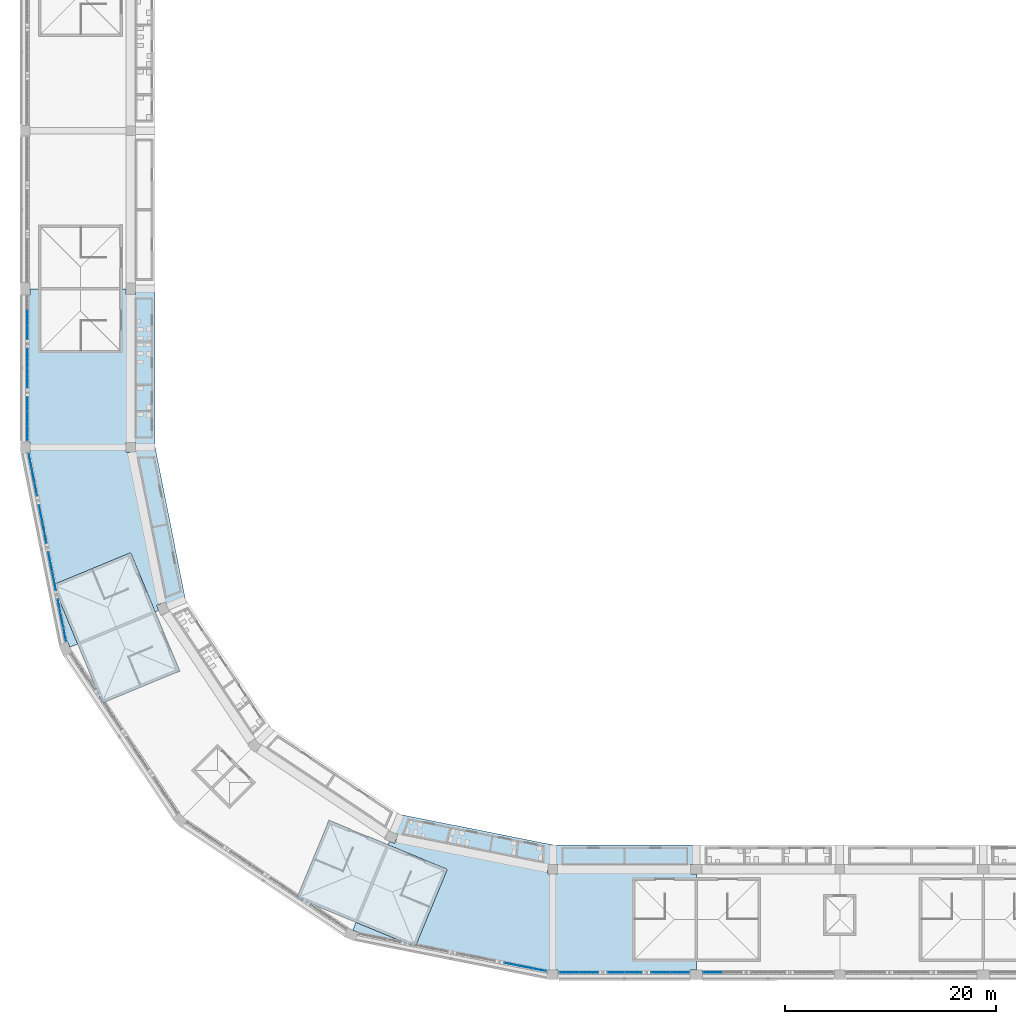
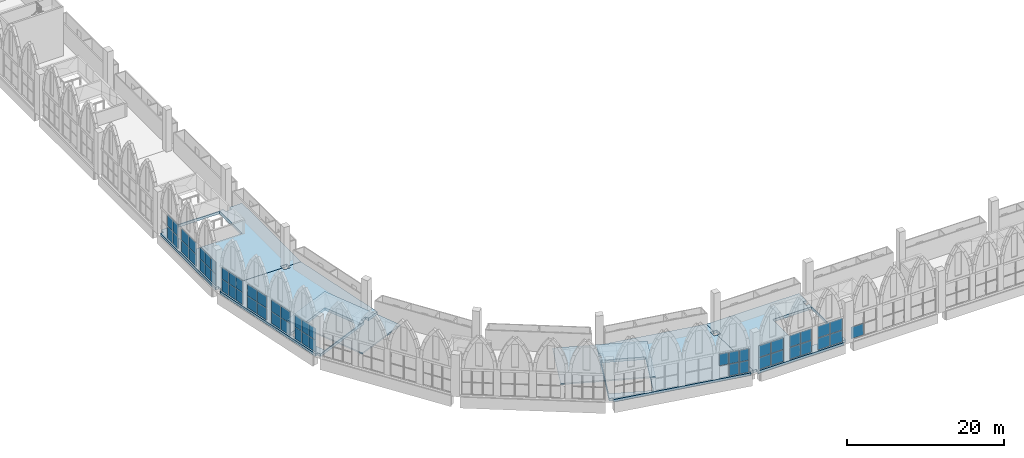
# One storey, part 49 of 130: 52 plates, 6 slabs, 12 elements without a shape of their own.
"""IFC4 building model written with IfcOpenShell, lengths in metres."""

from ifc_helpers import new_model, si_unit, direction, frame, origin, origin_2d, place, context, subcontext, project, spatial, polyline, rectangle, outline, extrude, material, layer, layer_set, type_object, element, aggregate, save


model = new_model("IFC4")

# Units and contexts
model_context = context("Model", 3, precision=1e-05, world=origin(), true_north=direction((0.0, 1.0)))
body_context = subcontext(model_context, "Body", "Model", "MODEL_VIEW")
ifc_project = project(units=[si_unit("LENGTHUNIT", "METRE"), si_unit("AREAUNIT", "SQUARE_METRE"), si_unit("VOLUMEUNIT", "CUBIC_METRE"), si_unit("PLANEANGLEUNIT", "RADIAN"), si_unit("MASSUNIT", "GRAM", prefix="KILO")], contexts=[model_context])

# Site, building, storey
site_placement = place(None, origin())
site = spatial("IfcSite", under=ifc_project, at=site_placement, CompositionType="ELEMENT")
building_placement = place(site_placement, origin())
building = spatial("IfcBuilding", under=site, at=building_placement, Name="Ogive Plaza Stadium", CompositionType="ELEMENT")
storey_placement = place(building_placement, frame((0.0, 0.0, 22.5)))
storey = spatial("IfcBuildingStorey", under=building, at=storey_placement, Name="L05", CompositionType="ELEMENT", Elevation=22.5)

# Slabs
ifc_material_1 = material(Name="Concrete C40/50", Category="concrete")
ifc_layer_1 = layer(ifc_material_1, 0.199951171875)
ifc_layer_set_1 = layer_set([ifc_layer_1], Name="Concrete C40/50")
slab_type_1 = type_object("IfcSlabType", Name="Core roof slab", PredefinedType="ROOF", material=ifc_layer_set_1)
slab_1_placement = place(storey_placement, frame((0.0, 0.0, 2.10009765625)))
element("IfcSlab", 1, at=slab_1_placement, inside=storey, type_object=slab_type_1, Name="Stair core R18 roof", PredefinedType="ROOF", context=body_context, shape_type="SweptSolid", body=[
    extrude(outline(polyline([(-55.22607421875, -87.869384765625), (-58.272216796875, -95.2236328125), (-47.047119140625, -99.873046875), (-44.0009765625, -92.51904296875), (-55.22607421875, -87.869384765625)])), origin(), (0.0, 0.0, 1.0), 0.199951171875),
])
slab_2_placement = place(storey_placement, frame((0.0, 0.0, 2.10009765625)))
element("IfcSlab", 2, at=slab_2_placement, inside=storey, type_object=slab_type_1, Name="Stair core R20 roof", PredefinedType="ROOF", context=body_context, shape_type="SweptSolid", body=[
    extrude(outline(polyline([(-74.01904296875, -62.5009765625), (-81.373046875, -65.547119140625), (-76.7236328125, -76.772216796875), (-69.369384765625, -73.72607421875), (-74.01904296875, -62.5009765625)])), origin(), (0.0, 0.0, 1.0), 0.199951171875),
])

# Curtain wall, plate
ifc_material_2 = material(Name="Bronze-anodised aluminium with laminated glass", Category="aluminium")
curtain_wall_type = type_object("IfcCurtainWallType", Name="Lancet curtain wall", PredefinedType="NOTDEFINED", material=ifc_material_2)
curtain_wall_1_placement = place(storey_placement, origin())
curtain_wall_1 = element("IfcCurtainWall", 3, at=curtain_wall_1_placement, inside=storey, type_object=curtain_wall_type, Name="CURTAIN WALL B15 L05", PredefinedType="NOTDEFINED")
ifc_material_3 = material(Name="Laminated glass", Category="glass")
ifc_layer_2 = layer(ifc_material_3, 0.028076171875)
ifc_layer_set_2 = layer_set([ifc_layer_2], Name="Laminated glass panel 28")
plate_type = type_object("IfcPlateType", Name="Laminated glass panel 28", PredefinedType="CURTAIN_PANEL", material=ifc_layer_set_2)
plate_1_placement = place(storey_placement, frame((-18.854248046875, -102.300048828125, 0.0498046875), z_axis=(0.0, 0.0, 1.0), x_axis=(-1.0, 0.0, 0.0)))
plate_1 = element("IfcPlate", 4, at=plate_1_placement, type_object=plate_type, Name="CW-B15-L05.3 panel 2.1", PredefinedType="CURTAIN_PANEL", context=body_context, shape_type="SweptSolid", body=[
    extrude(rectangle(XDim=1.791748046875, YDim=0.028076171875, at=origin_2d()), origin(), (0.0, 0.0, 1.0), 1.824951171875),
])
aggregate(curtain_wall_1, [plate_1])

# Curtain wall, plates
curtain_wall_2_placement = place(storey_placement, origin())
curtain_wall_2 = element("IfcCurtainWall", 5, at=curtain_wall_2_placement, inside=storey, type_object=curtain_wall_type, Name="CURTAIN WALL B16 L05", PredefinedType="NOTDEFINED")
plate_2_placement = place(storey_placement, frame((-21.94580078125, -102.300048828125, 0.0498046875), z_axis=(0.0, 0.0, 1.0), x_axis=(-1.0, 0.0, 0.0)))
plate_2 = element("IfcPlate", 6, at=plate_2_placement, type_object=plate_type, Name="CW-B16-L05.1 panel 1.1", PredefinedType="CURTAIN_PANEL", context=body_context, shape_type="SweptSolid", body=[
    extrude(rectangle(XDim=1.791748046875, YDim=0.028076171875, at=origin_2d()), origin(), (0.0, 0.0, 1.0), 1.824951171875),
])
plate_3_placement = place(storey_placement, frame((-21.94580078125, -102.300048828125, 1.9248046875), z_axis=(0.0, 0.0, 1.0), x_axis=(-1.0, 0.0, 0.0)))
plate_3 = element("IfcPlate", 7, at=plate_3_placement, type_object=plate_type, Name="CW-B16-L05.1 panel 1.2", PredefinedType="CURTAIN_PANEL", context=body_context, shape_type="SweptSolid", body=[
    extrude(rectangle(XDim=1.791748046875, YDim=0.028076171875, at=origin_2d()), origin(), (0.0, 0.0, 1.0), 1.824951171875),
])
plate_4_placement = place(storey_placement, frame((-23.78759765625, -102.300048828125, 0.0498046875), z_axis=(0.0, 0.0, 1.0), x_axis=(-1.0, 0.0, 0.0)))
plate_4 = element("IfcPlate", 8, at=plate_4_placement, type_object=plate_type, Name="CW-B16-L05.1 panel 2.1", PredefinedType="CURTAIN_PANEL", context=body_context, shape_type="SweptSolid", body=[
    extrude(rectangle(XDim=1.791748046875, YDim=0.028076171875, at=origin_2d()), origin(), (0.0, 0.0, 1.0), 1.824951171875),
])
plate_5_placement = place(storey_placement, frame((-23.78759765625, -102.300048828125, 1.9248046875), z_axis=(0.0, 0.0, 1.0), x_axis=(-1.0, 0.0, 0.0)))
plate_5 = element("IfcPlate", 9, at=plate_5_placement, type_object=plate_type, Name="CW-B16-L05.1 panel 2.2", PredefinedType="CURTAIN_PANEL", context=body_context, shape_type="SweptSolid", body=[
    extrude(rectangle(XDim=1.791748046875, YDim=0.028076171875, at=origin_2d()), origin(), (0.0, 0.0, 1.0), 1.824951171875),
])
aggregate(curtain_wall_2, [plate_2, plate_3, plate_4, plate_5])

curtain_wall_3_placement = place(storey_placement, origin())
curtain_wall_3 = element("IfcCurtainWall", 10, at=curtain_wall_3_placement, inside=storey, type_object=curtain_wall_type, Name="CURTAIN WALL B16 L05", PredefinedType="NOTDEFINED")
plate_6_placement = place(storey_placement, frame((-26.379150390625, -102.300048828125, 0.0498046875), z_axis=(0.0, 0.0, 1.0), x_axis=(-1.0, 0.0, 0.0)))
plate_6 = element("IfcPlate", 11, at=plate_6_placement, type_object=plate_type, Name="CW-B16-L05.2 panel 1.1", PredefinedType="CURTAIN_PANEL", context=body_context, shape_type="SweptSolid", body=[
    extrude(rectangle(XDim=1.591552734375, YDim=0.028076171875, at=origin_2d()), origin(), (0.0, 0.0, 1.0), 1.824951171875),
])
plate_7_placement = place(storey_placement, frame((-26.379150390625, -102.300048828125, 1.9248046875), z_axis=(0.0, 0.0, 1.0), x_axis=(-1.0, 0.0, 0.0)))
plate_7 = element("IfcPlate", 12, at=plate_7_placement, type_object=plate_type, Name="CW-B16-L05.2 panel 1.2", PredefinedType="CURTAIN_PANEL", context=body_context, shape_type="SweptSolid", body=[
    extrude(rectangle(XDim=1.591552734375, YDim=0.028076171875, at=origin_2d()), origin(), (0.0, 0.0, 1.0), 1.824951171875),
])
plate_8_placement = place(storey_placement, frame((-28.020751953125, -102.300048828125, 0.0498046875), z_axis=(0.0, 0.0, 1.0), x_axis=(-1.0, 0.0, 0.0)))
plate_8 = element("IfcPlate", 13, at=plate_8_placement, type_object=plate_type, Name="CW-B16-L05.2 panel 2.1", PredefinedType="CURTAIN_PANEL", context=body_context, shape_type="SweptSolid", body=[
    extrude(rectangle(XDim=1.591552734375, YDim=0.028076171875, at=origin_2d()), origin(), (0.0, 0.0, 1.0), 1.824951171875),
])
plate_9_placement = place(storey_placement, frame((-28.020751953125, -102.300048828125, 1.9248046875), z_axis=(0.0, 0.0, 1.0), x_axis=(-1.0, 0.0, 0.0)))
plate_9 = element("IfcPlate", 14, at=plate_9_placement, type_object=plate_type, Name="CW-B16-L05.2 panel 2.2", PredefinedType="CURTAIN_PANEL", context=body_context, shape_type="SweptSolid", body=[
    extrude(rectangle(XDim=1.591552734375, YDim=0.028076171875, at=origin_2d()), origin(), (0.0, 0.0, 1.0), 1.824951171875),
])
aggregate(curtain_wall_3, [plate_6, plate_7, plate_8, plate_9])

curtain_wall_4_placement = place(storey_placement, origin())
curtain_wall_4 = element("IfcCurtainWall", 15, at=curtain_wall_4_placement, inside=storey, type_object=curtain_wall_type, Name="CURTAIN WALL B16 L05", PredefinedType="NOTDEFINED")
plate_10_placement = place(storey_placement, frame((-30.612548828125, -102.300048828125, 0.0498046875), z_axis=(0.0, 0.0, 1.0), x_axis=(-1.0, 0.0, 0.0)))
plate_10 = element("IfcPlate", 16, at=plate_10_placement, type_object=plate_type, Name="CW-B16-L05.3 panel 1.1", PredefinedType="CURTAIN_PANEL", context=body_context, shape_type="SweptSolid", body=[
    extrude(rectangle(XDim=1.791748046875, YDim=0.028076171875, at=origin_2d()), origin(), (0.0, 0.0, 1.0), 1.824951171875),
])
plate_11_placement = place(storey_placement, frame((-30.612548828125, -102.300048828125, 1.9248046875), z_axis=(0.0, 0.0, 1.0), x_axis=(-1.0, 0.0, 0.0)))
plate_11 = element("IfcPlate", 17, at=plate_11_placement, type_object=plate_type, Name="CW-B16-L05.3 panel 1.2", PredefinedType="CURTAIN_PANEL", context=body_context, shape_type="SweptSolid", body=[
    extrude(rectangle(XDim=1.791748046875, YDim=0.028076171875, at=origin_2d()), origin(), (0.0, 0.0, 1.0), 1.824951171875),
])
plate_12_placement = place(storey_placement, frame((-32.4541015625, -102.300048828125, 0.0498046875), z_axis=(0.0, 0.0, 1.0), x_axis=(-1.0, 0.0, 0.0)))
plate_12 = element("IfcPlate", 18, at=plate_12_placement, type_object=plate_type, Name="CW-B16-L05.3 panel 2.1", PredefinedType="CURTAIN_PANEL", context=body_context, shape_type="SweptSolid", body=[
    extrude(rectangle(XDim=1.791748046875, YDim=0.028076171875, at=origin_2d()), origin(), (0.0, 0.0, 1.0), 1.824951171875),
])
plate_13_placement = place(storey_placement, frame((-32.4541015625, -102.300048828125, 1.9248046875), z_axis=(0.0, 0.0, 1.0), x_axis=(-1.0, 0.0, 0.0)))
plate_13 = element("IfcPlate", 19, at=plate_13_placement, type_object=plate_type, Name="CW-B16-L05.3 panel 2.2", PredefinedType="CURTAIN_PANEL", context=body_context, shape_type="SweptSolid", body=[
    extrude(rectangle(XDim=1.791748046875, YDim=0.028076171875, at=origin_2d()), origin(), (0.0, 0.0, 1.0), 1.824951171875),
])
aggregate(curtain_wall_4, [plate_10, plate_11, plate_12, plate_13])

curtain_wall_5_placement = place(storey_placement, origin())
curtain_wall_5 = element("IfcCurtainWall", 20, at=curtain_wall_5_placement, inside=storey, type_object=curtain_wall_type, Name="CURTAIN WALL B17 L05", PredefinedType="NOTDEFINED")
plate_14_placement = place(storey_placement, frame((-35.28076171875, -102.041259765625, 0.0498046875), z_axis=(0.0, 0.0, 1.0), x_axis=(-0.980785280413, 0.195090321965, 0.0)))
plate_14 = element("IfcPlate", 21, at=plate_14_placement, type_object=plate_type, Name="CW-B17-L05.1 panel 1.1", PredefinedType="CURTAIN_PANEL", context=body_context, shape_type="SweptSolid", body=[
    extrude(rectangle(XDim=1.310791015625, YDim=0.028076171875, at=origin_2d()), origin(), (0.0, 0.0, 1.0), 1.824951171875),
])
plate_15_placement = place(storey_placement, frame((-35.28076171875, -102.041259765625, 1.9248046875), z_axis=(0.0, 0.0, 1.0), x_axis=(-0.980785280413, 0.195090321965, 0.0)))
plate_15 = element("IfcPlate", 22, at=plate_15_placement, type_object=plate_type, Name="CW-B17-L05.1 panel 1.2", PredefinedType="CURTAIN_PANEL", context=body_context, shape_type="SweptSolid", body=[
    extrude(rectangle(XDim=1.310791015625, YDim=0.028076171875, at=origin_2d()), origin(), (0.0, 0.0, 1.0), 1.824951171875),
])
plate_16_placement = place(storey_placement, frame((-36.627685546875, -101.7734375, 0.0498046875), z_axis=(0.0, 0.0, 1.0), x_axis=(-0.980785280413, 0.195090321965, 0.0)))
plate_16 = element("IfcPlate", 23, at=plate_16_placement, type_object=plate_type, Name="CW-B17-L05.1 panel 2.1", PredefinedType="CURTAIN_PANEL", context=body_context, shape_type="SweptSolid", body=[
    extrude(rectangle(XDim=1.335693359375, YDim=0.028076171875, at=origin_2d()), origin(), (0.0, 0.0, 1.0), 1.824951171875),
])
plate_17_placement = place(storey_placement, frame((-36.627685546875, -101.7734375, 1.9248046875), z_axis=(0.0, 0.0, 1.0), x_axis=(-0.980785280413, 0.195090321965, 0.0)))
plate_17 = element("IfcPlate", 24, at=plate_17_placement, type_object=plate_type, Name="CW-B17-L05.1 panel 2.2", PredefinedType="CURTAIN_PANEL", context=body_context, shape_type="SweptSolid", body=[
    extrude(rectangle(XDim=1.335693359375, YDim=0.028076171875, at=origin_2d()), origin(), (0.0, 0.0, 1.0), 1.824951171875),
])
plate_18_placement = place(storey_placement, frame((-37.974365234375, -101.505615234375, 1.9248046875), z_axis=(0.0, 0.0, 1.0), x_axis=(-0.980785280413, 0.195090321965, 0.0)))
plate_18 = element("IfcPlate", 25, at=plate_18_placement, type_object=plate_type, Name="CW-B17-L05.1 panel 3.2", PredefinedType="CURTAIN_PANEL", context=body_context, shape_type="SweptSolid", body=[
    extrude(rectangle(XDim=1.310791015625, YDim=0.028076171875, at=origin_2d()), origin(), (0.0, 0.0, 1.0), 1.824951171875),
])
aggregate(curtain_wall_5, [plate_14, plate_15, plate_16, plate_17, plate_18])

curtain_wall_6_placement = place(storey_placement, origin())
curtain_wall_6 = element("IfcCurtainWall", 26, at=curtain_wall_6_placement, inside=storey, type_object=curtain_wall_type, Name="CURTAIN WALL B20 L05", PredefinedType="NOTDEFINED")
plate_19_placement = place(storey_placement, frame((-80.26025390625, -70.275390625, 0.0498046875), z_axis=(0.0, 0.0, 1.0), x_axis=(-0.195090321965, 0.980785280413, 0.0)))
plate_19 = element("IfcPlate", 27, at=plate_19_placement, type_object=plate_type, Name="CW-B20-L05.1 panel 1.1", PredefinedType="CURTAIN_PANEL", context=body_context, shape_type="SweptSolid", body=[
    extrude(rectangle(XDim=1.310791015625, YDim=0.028076171875, at=origin_2d()), origin(), (0.0, 0.0, 1.0), 1.824951171875),
])
plate_20_placement = place(storey_placement, frame((-80.26025390625, -70.275390625, 1.9248046875), z_axis=(0.0, 0.0, 1.0), x_axis=(-0.195090321965, 0.980785280413, 0.0)))
plate_20 = element("IfcPlate", 28, at=plate_20_placement, type_object=plate_type, Name="CW-B20-L05.1 panel 1.2", PredefinedType="CURTAIN_PANEL", context=body_context, shape_type="SweptSolid", body=[
    extrude(rectangle(XDim=1.310791015625, YDim=0.028076171875, at=origin_2d()), origin(), (0.0, 0.0, 1.0), 1.824951171875),
])
plate_21_placement = place(storey_placement, frame((-80.5283203125, -68.928466796875, 0.0498046875), z_axis=(0.0, 0.0, 1.0), x_axis=(-0.195090321965, 0.980785280413, 0.0)))
plate_21 = element("IfcPlate", 29, at=plate_21_placement, type_object=plate_type, Name="CW-B20-L05.1 panel 2.1", PredefinedType="CURTAIN_PANEL", context=body_context, shape_type="SweptSolid", body=[
    extrude(rectangle(XDim=1.335693359375, YDim=0.028076171875, at=origin_2d()), origin(), (0.0, 0.0, 1.0), 1.824951171875),
])
plate_22_placement = place(storey_placement, frame((-80.5283203125, -68.928466796875, 1.9248046875), z_axis=(0.0, 0.0, 1.0), x_axis=(-0.195090321965, 0.980785280413, 0.0)))
plate_22 = element("IfcPlate", 30, at=plate_22_placement, type_object=plate_type, Name="CW-B20-L05.1 panel 2.2", PredefinedType="CURTAIN_PANEL", context=body_context, shape_type="SweptSolid", body=[
    extrude(rectangle(XDim=1.335693359375, YDim=0.028076171875, at=origin_2d()), origin(), (0.0, 0.0, 1.0), 1.824951171875),
])
plate_23_placement = place(storey_placement, frame((-80.796142578125, -67.581787109375, 0.0498046875), z_axis=(0.0, 0.0, 1.0), x_axis=(-0.195090321965, 0.980785280413, 0.0)))
plate_23 = element("IfcPlate", 31, at=plate_23_placement, type_object=plate_type, Name="CW-B20-L05.1 panel 3.1", PredefinedType="CURTAIN_PANEL", context=body_context, shape_type="SweptSolid", body=[
    extrude(rectangle(XDim=1.310791015625, YDim=0.028076171875, at=origin_2d()), origin(), (0.0, 0.0, 1.0), 1.824951171875),
])
plate_24_placement = place(storey_placement, frame((-80.796142578125, -67.581787109375, 1.9248046875), z_axis=(0.0, 0.0, 1.0), x_axis=(-0.195090321965, 0.980785280413, 0.0)))
plate_24 = element("IfcPlate", 32, at=plate_24_placement, type_object=plate_type, Name="CW-B20-L05.1 panel 3.2", PredefinedType="CURTAIN_PANEL", context=body_context, shape_type="SweptSolid", body=[
    extrude(rectangle(XDim=1.310791015625, YDim=0.028076171875, at=origin_2d()), origin(), (0.0, 0.0, 1.0), 1.824951171875),
])
aggregate(curtain_wall_6, [plate_19, plate_20, plate_21, plate_22, plate_23, plate_24])

curtain_wall_7_placement = place(storey_placement, origin())
curtain_wall_7 = element("IfcCurtainWall", 33, at=curtain_wall_7_placement, inside=storey, type_object=curtain_wall_type, Name="CURTAIN WALL B20 L05", PredefinedType="NOTDEFINED")
plate_25_placement = place(storey_placement, frame((-81.275390625, -65.171875, 0.0498046875), z_axis=(0.0, 0.0, 1.0), x_axis=(-0.195090322153, 0.980785280376, 0.0)))
plate_25 = element("IfcPlate", 34, at=plate_25_placement, type_object=plate_type, Name="CW-B20-L05.2 panel 1.1", PredefinedType="CURTAIN_PANEL", context=body_context, shape_type="SweptSolid", body=[
    extrude(rectangle(XDim=1.803466796875, YDim=0.028076171875, at=origin_2d()), origin(), (0.0, 0.0, 1.0), 1.824951171875),
])
plate_26_placement = place(storey_placement, frame((-81.275390625, -65.171875, 1.9248046875), z_axis=(0.0, 0.0, 1.0), x_axis=(-0.195090322153, 0.980785280376, 0.0)))
plate_26 = element("IfcPlate", 35, at=plate_26_placement, type_object=plate_type, Name="CW-B20-L05.2 panel 1.2", PredefinedType="CURTAIN_PANEL", context=body_context, shape_type="SweptSolid", body=[
    extrude(rectangle(XDim=1.803466796875, YDim=0.028076171875, at=origin_2d()), origin(), (0.0, 0.0, 1.0), 1.824951171875),
])
plate_27_placement = place(storey_placement, frame((-81.63720703125, -63.353759765625, 0.0498046875), z_axis=(0.0, 0.0, 1.0), x_axis=(-0.195090322153, 0.980785280376, 0.0)))
plate_27 = element("IfcPlate", 36, at=plate_27_placement, type_object=plate_type, Name="CW-B20-L05.2 panel 2.1", PredefinedType="CURTAIN_PANEL", context=body_context, shape_type="SweptSolid", body=[
    extrude(rectangle(XDim=1.803466796875, YDim=0.028076171875, at=origin_2d()), origin(), (0.0, 0.0, 1.0), 1.824951171875),
])
plate_28_placement = place(storey_placement, frame((-81.63720703125, -63.353759765625, 1.9248046875), z_axis=(0.0, 0.0, 1.0), x_axis=(-0.195090322153, 0.980785280376, 0.0)))
plate_28 = element("IfcPlate", 37, at=plate_28_placement, type_object=plate_type, Name="CW-B20-L05.2 panel 2.2", PredefinedType="CURTAIN_PANEL", context=body_context, shape_type="SweptSolid", body=[
    extrude(rectangle(XDim=1.803466796875, YDim=0.028076171875, at=origin_2d()), origin(), (0.0, 0.0, 1.0), 1.824951171875),
])
aggregate(curtain_wall_7, [plate_25, plate_26, plate_27, plate_28])

curtain_wall_8_placement = place(storey_placement, origin())
curtain_wall_8 = element("IfcCurtainWall", 38, at=curtain_wall_8_placement, inside=storey, type_object=curtain_wall_type, Name="CURTAIN WALL B20 L05", PredefinedType="NOTDEFINED")
plate_29_placement = place(storey_placement, frame((-82.16455078125, -60.7021484375, 0.0498046875), z_axis=(0.0, 0.0, 1.0), x_axis=(-0.195090321896, 0.980785280427, 0.0)))
plate_29 = element("IfcPlate", 39, at=plate_29_placement, type_object=plate_type, Name="CW-B20-L05.3 panel 1.1", PredefinedType="CURTAIN_PANEL", context=body_context, shape_type="SweptSolid", body=[
    extrude(rectangle(XDim=1.803466796875, YDim=0.028076171875, at=origin_2d()), origin(), (0.0, 0.0, 1.0), 1.824951171875),
])
plate_30_placement = place(storey_placement, frame((-82.16455078125, -60.7021484375, 1.9248046875), z_axis=(0.0, 0.0, 1.0), x_axis=(-0.195090321896, 0.980785280427, 0.0)))
plate_30 = element("IfcPlate", 40, at=plate_30_placement, type_object=plate_type, Name="CW-B20-L05.3 panel 1.2", PredefinedType="CURTAIN_PANEL", context=body_context, shape_type="SweptSolid", body=[
    extrude(rectangle(XDim=1.803466796875, YDim=0.028076171875, at=origin_2d()), origin(), (0.0, 0.0, 1.0), 1.824951171875),
])
plate_31_placement = place(storey_placement, frame((-82.526123046875, -58.88427734375, 0.0498046875), z_axis=(0.0, 0.0, 1.0), x_axis=(-0.195090321896, 0.980785280427, 0.0)))
plate_31 = element("IfcPlate", 41, at=plate_31_placement, type_object=plate_type, Name="CW-B20-L05.3 panel 2.1", PredefinedType="CURTAIN_PANEL", context=body_context, shape_type="SweptSolid", body=[
    extrude(rectangle(XDim=1.803466796875, YDim=0.028076171875, at=origin_2d()), origin(), (0.0, 0.0, 1.0), 1.824951171875),
])
plate_32_placement = place(storey_placement, frame((-82.526123046875, -58.88427734375, 1.9248046875), z_axis=(0.0, 0.0, 1.0), x_axis=(-0.195090321896, 0.980785280427, 0.0)))
plate_32 = element("IfcPlate", 42, at=plate_32_placement, type_object=plate_type, Name="CW-B20-L05.3 panel 2.2", PredefinedType="CURTAIN_PANEL", context=body_context, shape_type="SweptSolid", body=[
    extrude(rectangle(XDim=1.803466796875, YDim=0.028076171875, at=origin_2d()), origin(), (0.0, 0.0, 1.0), 1.824951171875),
])
aggregate(curtain_wall_8, [plate_29, plate_30, plate_31, plate_32])

curtain_wall_9_placement = place(storey_placement, origin())
curtain_wall_9 = element("IfcCurtainWall", 43, at=curtain_wall_9_placement, inside=storey, type_object=curtain_wall_type, Name="CURTAIN WALL B20 L05", PredefinedType="NOTDEFINED")
plate_33_placement = place(storey_placement, frame((-83.005615234375, -56.474365234375, 0.0498046875), z_axis=(0.0, 0.0, 1.0), x_axis=(-0.195090321965, 0.980785280413, 0.0)))
plate_33 = element("IfcPlate", 44, at=plate_33_placement, type_object=plate_type, Name="CW-B20-L05.4 panel 1.1", PredefinedType="CURTAIN_PANEL", context=body_context, shape_type="SweptSolid", body=[
    extrude(rectangle(XDim=1.310791015625, YDim=0.028076171875, at=origin_2d()), origin(), (0.0, 0.0, 1.0), 1.824951171875),
])
plate_34_placement = place(storey_placement, frame((-83.005615234375, -56.474365234375, 1.9248046875), z_axis=(0.0, 0.0, 1.0), x_axis=(-0.195090321965, 0.980785280413, 0.0)))
plate_34 = element("IfcPlate", 45, at=plate_34_placement, type_object=plate_type, Name="CW-B20-L05.4 panel 1.2", PredefinedType="CURTAIN_PANEL", context=body_context, shape_type="SweptSolid", body=[
    extrude(rectangle(XDim=1.310791015625, YDim=0.028076171875, at=origin_2d()), origin(), (0.0, 0.0, 1.0), 1.824951171875),
])
plate_35_placement = place(storey_placement, frame((-83.2734375, -55.127685546875, 0.0498046875), z_axis=(0.0, 0.0, 1.0), x_axis=(-0.195090321965, 0.980785280413, 0.0)))
plate_35 = element("IfcPlate", 46, at=plate_35_placement, type_object=plate_type, Name="CW-B20-L05.4 panel 2.1", PredefinedType="CURTAIN_PANEL", context=body_context, shape_type="SweptSolid", body=[
    extrude(rectangle(XDim=1.335693359375, YDim=0.028076171875, at=origin_2d()), origin(), (0.0, 0.0, 1.0), 1.824951171875),
])
plate_36_placement = place(storey_placement, frame((-83.2734375, -55.127685546875, 1.9248046875), z_axis=(0.0, 0.0, 1.0), x_axis=(-0.195090321965, 0.980785280413, 0.0)))
plate_36 = element("IfcPlate", 47, at=plate_36_placement, type_object=plate_type, Name="CW-B20-L05.4 panel 2.2", PredefinedType="CURTAIN_PANEL", context=body_context, shape_type="SweptSolid", body=[
    extrude(rectangle(XDim=1.335693359375, YDim=0.028076171875, at=origin_2d()), origin(), (0.0, 0.0, 1.0), 1.824951171875),
])
plate_37_placement = place(storey_placement, frame((-83.541259765625, -53.78076171875, 0.0498046875), z_axis=(0.0, 0.0, 1.0), x_axis=(-0.195090321965, 0.980785280413, 0.0)))
plate_37 = element("IfcPlate", 48, at=plate_37_placement, type_object=plate_type, Name="CW-B20-L05.4 panel 3.1", PredefinedType="CURTAIN_PANEL", context=body_context, shape_type="SweptSolid", body=[
    extrude(rectangle(XDim=1.310791015625, YDim=0.028076171875, at=origin_2d()), origin(), (0.0, 0.0, 1.0), 1.824951171875),
])
plate_38_placement = place(storey_placement, frame((-83.541259765625, -53.78076171875, 1.9248046875), z_axis=(0.0, 0.0, 1.0), x_axis=(-0.195090321965, 0.980785280413, 0.0)))
plate_38 = element("IfcPlate", 49, at=plate_38_placement, type_object=plate_type, Name="CW-B20-L05.4 panel 3.2", PredefinedType="CURTAIN_PANEL", context=body_context, shape_type="SweptSolid", body=[
    extrude(rectangle(XDim=1.310791015625, YDim=0.028076171875, at=origin_2d()), origin(), (0.0, 0.0, 1.0), 1.824951171875),
])
aggregate(curtain_wall_9, [plate_33, plate_34, plate_35, plate_36, plate_37, plate_38])

curtain_wall_10_placement = place(storey_placement, origin())
curtain_wall_10 = element("IfcCurtainWall", 50, at=curtain_wall_10_placement, inside=storey, type_object=curtain_wall_type, Name="CURTAIN WALL B21 L05", PredefinedType="NOTDEFINED")
plate_39_placement = place(storey_placement, frame((-83.800048828125, -51.1875, 0.0498046875), z_axis=(0.0, 0.0, 1.0), x_axis=(0.0, 1.0, 0.0)))
plate_39 = element("IfcPlate", 51, at=plate_39_placement, type_object=plate_type, Name="CW-B21-L05.1 panel 1.1", PredefinedType="CURTAIN_PANEL", context=body_context, shape_type="SweptSolid", body=[
    extrude(rectangle(XDim=1.324951171875, YDim=0.028076171875, at=origin_2d()), origin(), (0.0, 0.0, 1.0), 1.824951171875),
])
plate_40_placement = place(storey_placement, frame((-83.800048828125, -51.1875, 1.9248046875), z_axis=(0.0, 0.0, 1.0), x_axis=(0.0, 1.0, 0.0)))
plate_40 = element("IfcPlate", 52, at=plate_40_placement, type_object=plate_type, Name="CW-B21-L05.1 panel 1.2", PredefinedType="CURTAIN_PANEL", context=body_context, shape_type="SweptSolid", body=[
    extrude(rectangle(XDim=1.324951171875, YDim=0.028076171875, at=origin_2d()), origin(), (0.0, 0.0, 1.0), 1.824951171875),
])
plate_41_placement = place(storey_placement, frame((-83.800048828125, -49.800048828125, 0.0498046875), z_axis=(0.0, 0.0, 1.0), x_axis=(0.0, 1.0, 0.0)))
plate_41 = element("IfcPlate", 53, at=plate_41_placement, type_object=plate_type, Name="CW-B21-L05.1 panel 2.1", PredefinedType="CURTAIN_PANEL", context=body_context, shape_type="SweptSolid", body=[
    extrude(rectangle(XDim=1.35009765625, YDim=0.028076171875, at=origin_2d()), origin(), (0.0, 0.0, 1.0), 1.824951171875),
])
plate_42_placement = place(storey_placement, frame((-83.800048828125, -49.800048828125, 1.9248046875), z_axis=(0.0, 0.0, 1.0), x_axis=(0.0, 1.0, 0.0)))
plate_42 = element("IfcPlate", 54, at=plate_42_placement, type_object=plate_type, Name="CW-B21-L05.1 panel 2.2", PredefinedType="CURTAIN_PANEL", context=body_context, shape_type="SweptSolid", body=[
    extrude(rectangle(XDim=1.35009765625, YDim=0.028076171875, at=origin_2d()), origin(), (0.0, 0.0, 1.0), 1.824951171875),
])
plate_43_placement = place(storey_placement, frame((-83.800048828125, -48.41259765625, 0.0498046875), z_axis=(0.0, 0.0, 1.0), x_axis=(0.0, 1.0, 0.0)))
plate_43 = element("IfcPlate", 55, at=plate_43_placement, type_object=plate_type, Name="CW-B21-L05.1 panel 3.1", PredefinedType="CURTAIN_PANEL", context=body_context, shape_type="SweptSolid", body=[
    extrude(rectangle(XDim=1.324951171875, YDim=0.028076171875, at=origin_2d()), origin(), (0.0, 0.0, 1.0), 1.824951171875),
])
plate_44_placement = place(storey_placement, frame((-83.800048828125, -48.41259765625, 1.9248046875), z_axis=(0.0, 0.0, 1.0), x_axis=(0.0, 1.0, 0.0)))
plate_44 = element("IfcPlate", 56, at=plate_44_placement, type_object=plate_type, Name="CW-B21-L05.1 panel 3.2", PredefinedType="CURTAIN_PANEL", context=body_context, shape_type="SweptSolid", body=[
    extrude(rectangle(XDim=1.324951171875, YDim=0.028076171875, at=origin_2d()), origin(), (0.0, 0.0, 1.0), 1.824951171875),
])
aggregate(curtain_wall_10, [plate_39, plate_40, plate_41, plate_42, plate_43, plate_44])

curtain_wall_11_placement = place(storey_placement, origin())
curtain_wall_11 = element("IfcCurtainWall", 57, at=curtain_wall_11_placement, inside=storey, type_object=curtain_wall_type, Name="CURTAIN WALL B21 L05", PredefinedType="NOTDEFINED")
plate_45_placement = place(storey_placement, frame((-83.800048828125, -45.9375, 0.0498046875), z_axis=(0.0, 0.0, 1.0), x_axis=(0.0, 1.0, 0.0)))
plate_45 = element("IfcPlate", 58, at=plate_45_placement, type_object=plate_type, Name="CW-B21-L05.2 panel 1.1", PredefinedType="CURTAIN_PANEL", context=body_context, shape_type="SweptSolid", body=[
    extrude(rectangle(XDim=1.824951171875, YDim=0.028076171875, at=origin_2d()), origin(), (0.0, 0.0, 1.0), 1.824951171875),
])
plate_46_placement = place(storey_placement, frame((-83.800048828125, -45.9375, 1.9248046875), z_axis=(0.0, 0.0, 1.0), x_axis=(0.0, 1.0, 0.0)))
plate_46 = element("IfcPlate", 59, at=plate_46_placement, type_object=plate_type, Name="CW-B21-L05.2 panel 1.2", PredefinedType="CURTAIN_PANEL", context=body_context, shape_type="SweptSolid", body=[
    extrude(rectangle(XDim=1.824951171875, YDim=0.028076171875, at=origin_2d()), origin(), (0.0, 0.0, 1.0), 1.824951171875),
])
plate_47_placement = place(storey_placement, frame((-83.800048828125, -44.0625, 0.0498046875), z_axis=(0.0, 0.0, 1.0), x_axis=(0.0, 1.0, 0.0)))
plate_47 = element("IfcPlate", 60, at=plate_47_placement, type_object=plate_type, Name="CW-B21-L05.2 panel 2.1", PredefinedType="CURTAIN_PANEL", context=body_context, shape_type="SweptSolid", body=[
    extrude(rectangle(XDim=1.824951171875, YDim=0.028076171875, at=origin_2d()), origin(), (0.0, 0.0, 1.0), 1.824951171875),
])
plate_48_placement = place(storey_placement, frame((-83.800048828125, -44.0625, 1.9248046875), z_axis=(0.0, 0.0, 1.0), x_axis=(0.0, 1.0, 0.0)))
plate_48 = element("IfcPlate", 61, at=plate_48_placement, type_object=plate_type, Name="CW-B21-L05.2 panel 2.2", PredefinedType="CURTAIN_PANEL", context=body_context, shape_type="SweptSolid", body=[
    extrude(rectangle(XDim=1.824951171875, YDim=0.028076171875, at=origin_2d()), origin(), (0.0, 0.0, 1.0), 1.824951171875),
])
aggregate(curtain_wall_11, [plate_45, plate_46, plate_47, plate_48])

curtain_wall_12_placement = place(storey_placement, origin())
curtain_wall_12 = element("IfcCurtainWall", 62, at=curtain_wall_12_placement, inside=storey, type_object=curtain_wall_type, Name="CURTAIN WALL B21 L05", PredefinedType="NOTDEFINED")
plate_49_placement = place(storey_placement, frame((-83.800048828125, -41.58740234375, 0.0498046875), z_axis=(0.0, 0.0, 1.0), x_axis=(0.0, 1.0, 0.0)))
plate_49 = element("IfcPlate", 63, at=plate_49_placement, type_object=plate_type, Name="CW-B21-L05.3 panel 1.1", PredefinedType="CURTAIN_PANEL", context=body_context, shape_type="SweptSolid", body=[
    extrude(rectangle(XDim=1.324951171875, YDim=0.028076171875, at=origin_2d()), origin(), (0.0, 0.0, 1.0), 1.824951171875),
])
plate_50_placement = place(storey_placement, frame((-83.800048828125, -41.58740234375, 1.9248046875), z_axis=(0.0, 0.0, 1.0), x_axis=(0.0, 1.0, 0.0)))
plate_50 = element("IfcPlate", 64, at=plate_50_placement, type_object=plate_type, Name="CW-B21-L05.3 panel 1.2", PredefinedType="CURTAIN_PANEL", context=body_context, shape_type="SweptSolid", body=[
    extrude(rectangle(XDim=1.324951171875, YDim=0.028076171875, at=origin_2d()), origin(), (0.0, 0.0, 1.0), 1.824951171875),
])
plate_51_placement = place(storey_placement, frame((-83.800048828125, -40.199951171875, 0.0498046875), z_axis=(0.0, 0.0, 1.0), x_axis=(0.0, 1.0, 0.0)))
plate_51 = element("IfcPlate", 65, at=plate_51_placement, type_object=plate_type, Name="CW-B21-L05.3 panel 2.1", PredefinedType="CURTAIN_PANEL", context=body_context, shape_type="SweptSolid", body=[
    extrude(rectangle(XDim=1.35009765625, YDim=0.028076171875, at=origin_2d()), origin(), (0.0, 0.0, 1.0), 1.824951171875),
])
plate_52_placement = place(storey_placement, frame((-83.800048828125, -40.199951171875, 1.9248046875), z_axis=(0.0, 0.0, 1.0), x_axis=(0.0, 1.0, 0.0)))
plate_52 = element("IfcPlate", 66, at=plate_52_placement, type_object=plate_type, Name="CW-B21-L05.3 panel 2.2", PredefinedType="CURTAIN_PANEL", context=body_context, shape_type="SweptSolid", body=[
    extrude(rectangle(XDim=1.35009765625, YDim=0.028076171875, at=origin_2d()), origin(), (0.0, 0.0, 1.0), 1.824951171875),
])
aggregate(curtain_wall_12, [plate_49, plate_50, plate_51, plate_52])

# Slabs
ifc_material_4 = material(Name="Concrete C40/50", Category="concrete")
ifc_layer_3 = layer(ifc_material_4, 0.409912109375)
ifc_layer_set_3 = layer_set([ifc_layer_3], Name="Concrete C40/50")
slab_type_2 = type_object("IfcSlabType", Name="RC floor slab 410", PredefinedType="FLOOR", material=ifc_layer_set_3)
slab_3_placement = place(storey_placement, frame((0.0, 0.0, -0.409912109375)))
element("IfcSlab", 67, at=slab_3_placement, inside=storey, type_object=slab_type_2, Name="Floor slab L05 B16", PredefinedType="FLOOR", context=body_context, shape_type="SweptSolid", body=[
    extrude(outline(polyline([(-34.0, -92.050048828125), (-33.550048828125, -92.050048828125), (-33.550048828125, -92.949951171875), (-34.0, -92.949951171875), (-34.0, -102.050048828125), (-33.5, -102.050048828125), (-33.5, -102.5), (-21.0, -102.5), (-21.0, -102.050048828125), (-20.39990234375, -102.050048828125), (-20.39990234375, -92.949951171875), (-20.949951171875, -92.949951171875), (-20.949951171875, -92.050048828125), (-20.39990234375, -92.050048828125), (-20.39990234375, -90.199951171875), (-34.0, -90.199951171875), (-34.0, -92.050048828125)]), holes=[polyline([(-20.52490234375, -93.550048828125), (-26.22509765625, -93.550048828125), (-26.22509765625, -101.010009765625), (-20.52490234375, -101.010009765625), (-20.52490234375, -93.550048828125)])]), origin(), (0.0, 0.0, 1.0), 0.409912109375),
])
slab_4_placement = place(storey_placement, frame((0.0, 0.0, -0.409912109375)))
element("IfcSlab", 68, at=slab_4_placement, inside=storey, type_object=slab_type_2, Name="Floor slab L05 B17", PredefinedType="FLOOR", context=body_context, shape_type="SweptSolid", body=[
    extrude(outline(polyline([(-49.135009765625, -89.03955078125), (-48.673095703125, -89.230712890625), (-49.017578125, -90.062255859375), (-49.4794921875, -89.870849609375), (-52.9619140625, -98.2783203125), (-52.453857421875, -98.48876953125), (-52.584228515625, -98.803466796875), (-34.5, -102.400634765625), (-34.5, -102.050048828125), (-34.0, -102.050048828125), (-34.0, -92.949951171875), (-34.449951171875, -92.949951171875), (-34.449951171875, -92.050048828125), (-34.0, -92.050048828125), (-34.0, -90.199951171875), (-48.42724609375, -87.330322265625), (-49.135009765625, -89.03955078125)]), holes=[polyline([(-44.32763671875, -92.654296875), (-49.59375, -90.47314453125), (-52.448486328125, -97.365234375), (-47.182373046875, -99.546630859375), (-44.32763671875, -92.654296875)])]), origin(), (0.0, 0.0, 1.0), 0.409912109375),
])
slab_5_placement = place(storey_placement, frame((0.0, 0.0, -0.409912109375)))
element("IfcSlab", 69, at=slab_5_placement, inside=storey, type_object=slab_type_2, Name="Floor slab L05 B20", PredefinedType="FLOOR", context=body_context, shape_type="SweptSolid", body=[
    extrude(outline(polyline([(-73.550048828125, -52.5), (-73.550048828125, -52.949951171875), (-74.449951171875, -52.949951171875), (-74.449951171875, -52.5), (-83.550048828125, -52.5), (-83.550048828125, -53.0), (-83.900634765625, -53.0), (-80.303466796875, -71.084228515625), (-79.98876953125, -70.953857421875), (-79.7783203125, -71.4619140625), (-71.370849609375, -67.9794921875), (-71.562255859375, -67.517578125), (-70.730712890625, -67.173095703125), (-70.53955078125, -67.635009765625), (-68.830322265625, -66.92724609375), (-71.699951171875, -52.5), (-73.550048828125, -52.5)]), holes=[polyline([(-71.97314453125, -68.09375), (-74.154296875, -62.82763671875), (-81.046630859375, -65.682373046875), (-78.865234375, -70.948486328125), (-71.97314453125, -68.09375)])]), origin(), (0.0, 0.0, 1.0), 0.409912109375),
])
slab_6_placement = place(storey_placement, frame((0.0, 0.0, -0.409912109375)))
element("IfcSlab", 70, at=slab_6_placement, inside=storey, type_object=slab_type_2, Name="Floor slab L05 B21", PredefinedType="FLOOR", context=body_context, shape_type="SweptSolid", body=[
    extrude(outline(polyline([(-73.550048828125, -37.5), (-73.550048828125, -38.050048828125), (-74.449951171875, -38.050048828125), (-74.449951171875, -37.5), (-83.550048828125, -37.5), (-83.550048828125, -38.10009765625), (-84.0, -38.10009765625), (-84.0, -52.0), (-83.550048828125, -52.0), (-83.550048828125, -52.5), (-74.449951171875, -52.5), (-74.449951171875, -52.050048828125), (-73.550048828125, -52.050048828125), (-73.550048828125, -52.5), (-71.699951171875, -52.5), (-71.699951171875, -37.5), (-73.550048828125, -37.5)]), holes=[polyline([(-75.050048828125, -43.324951171875), (-75.050048828125, -37.625), (-82.510009765625, -37.625), (-82.510009765625, -43.324951171875), (-75.050048828125, -43.324951171875)])]), origin(), (0.0, 0.0, 1.0), 0.409912109375),
])

save(model, "model.ifc")
